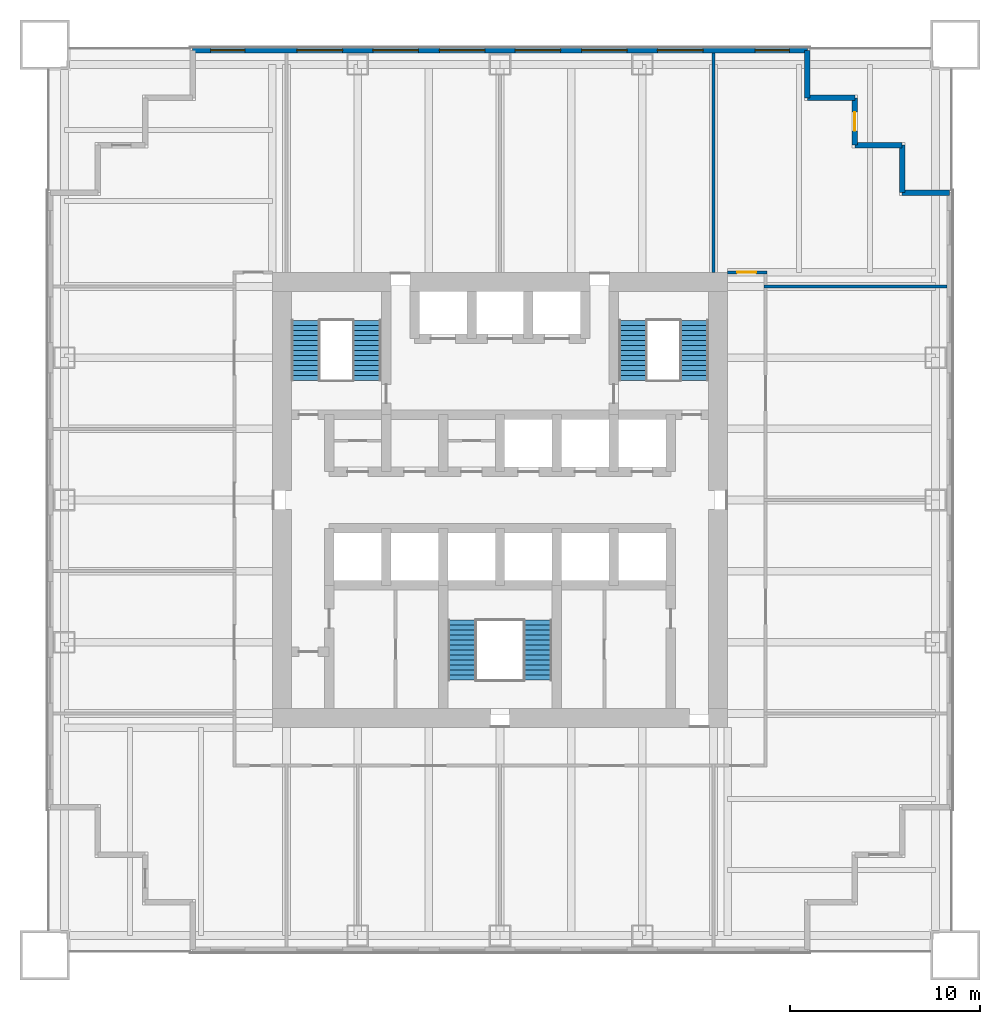
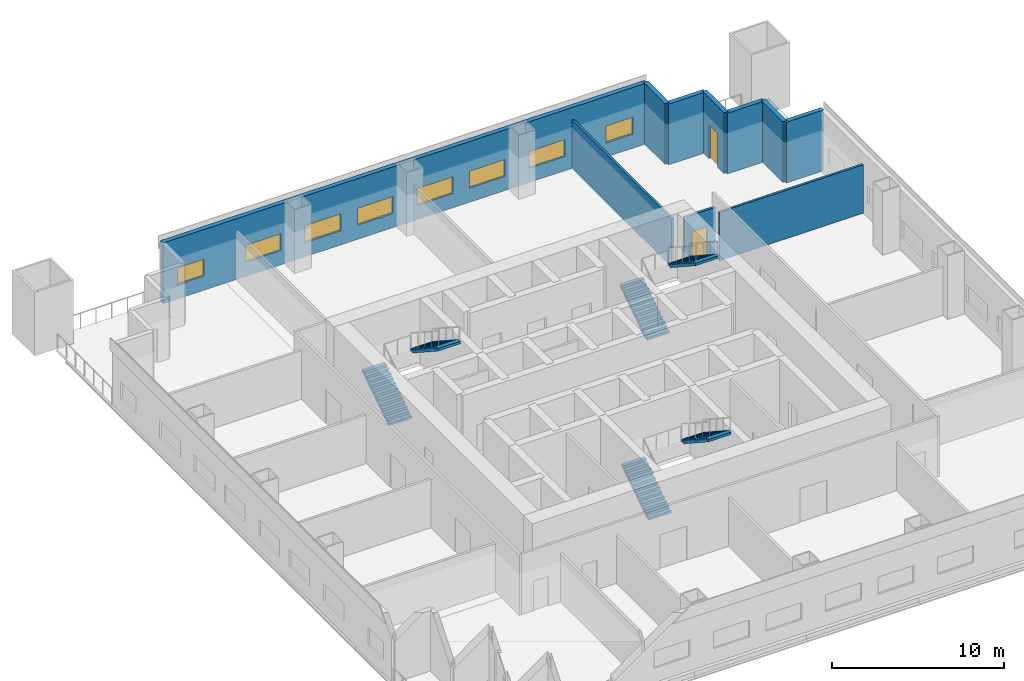
# One storey, part 5 of 7: 10 walls, 8 windows, 6 stair flights, 2 doors, 10 openings, 3 elements without a shape of their own.
"""IFC4 building model written with IfcOpenShell, lengths in metres."""

from ifc_helpers import new_model, si_unit, direction, frame, frame_2d, origin, place, context, subcontext, project, spatial, polyline, rectangle, outline, extrude, material, layer, layer_set, type_object, element, fill, aggregate, save


model = new_model("IFC4")

# Units and contexts
model_context = context("Model", 3, precision=1e-05, world=origin(), true_north=direction((0.0, 1.0)))
body_context = subcontext(model_context, "Body", "Model", "MODEL_VIEW")
ifc_project = project(units=[si_unit("LENGTHUNIT", "METRE"), si_unit("AREAUNIT", "SQUARE_METRE"), si_unit("VOLUMEUNIT", "CUBIC_METRE"), si_unit("PLANEANGLEUNIT", "RADIAN"), si_unit("MASSUNIT", "GRAM", prefix="KILO")], contexts=[model_context])

# Site, building, storey
site_placement = place(None, origin())
site = spatial("IfcSite", under=ifc_project, at=site_placement, CompositionType="ELEMENT")
building_placement = place(site_placement, origin())
building = spatial("IfcBuilding", under=site, at=building_placement, Name="Tarangal Relay Tower", CompositionType="ELEMENT")
storey_placement = place(building_placement, frame((0.0, 0.0, 144.89990234375)))
storey = spatial("IfcBuildingStorey", under=building, at=storey_placement, Name="L29", CompositionType="ELEMENT", Elevation=144.89990234375)

# Wall, openings, windows
ifc_material_1 = material(Name="Insulated precast concrete fc' 40 MPa", Category="concrete")
ifc_layer_1 = layer(ifc_material_1, 0.300048828125)
ifc_layer_set_1 = layer_set([ifc_layer_1], Name="Insulated precast concrete fc' 40 MPa")
wall_type_1 = type_object("IfcWallType", Name="Facade wall precast 300", PredefinedType="SOLIDWALL", material=ifc_layer_set_1)
wall_1_placement = place(storey_placement, frame((-16.199951171875, 23.699951171875, 0.0), z_axis=(0.0, 0.0, 1.0), x_axis=(1.0, 0.0, 0.0)))
wall_1 = element("IfcWall", 1, at=wall_1_placement, inside=storey, type_object=wall_type_1, Name="Facade wall N facade L29", PredefinedType="SOLIDWALL", context=body_context, shape_type="SweptSolid", body=[
    extrude(rectangle(XDim=32.39990234375, YDim=0.300048828125, at=frame_2d((16.199951171875, 0.0))), origin(), (0.0, 0.0, 1.0), 4.300048828125),
])
opening_1_placement = place(wall_1_placement, frame((0.949951171875, 0.0, 1.0)))
opening_1 = element("IfcOpeningElement", 2, at=opening_1_placement, cuts=wall_1, Name="Opening WN5", PredefinedType="OPENING", context=body_context, shape_type="SweptSolid", body=[
    extrude(rectangle(XDim=1.800048828125, YDim=1.199951171875, at=frame_2d((0.89990234375, 0.60009765625))), frame((0.0, 0.159912109375, 0.0), z_axis=(0.0, -1.0, 0.0), x_axis=(1.0, 0.0, 0.0)), (0.0, 0.0, 1.0), 0.320068359375),
])
opening_2_placement = place(wall_1_placement, frame((5.5, 0.0, 1.0)))
opening_2 = element("IfcOpeningElement", 3, at=opening_2_placement, cuts=wall_1, Name="Opening WN1", PredefinedType="OPENING", context=body_context, shape_type="SweptSolid", body=[
    extrude(rectangle(XDim=2.39990234375, YDim=1.199951171875, at=frame_2d((1.199951171875, 0.60009765625))), frame((0.0, 0.159912109375, 0.0), z_axis=(0.0, -1.0, 0.0), x_axis=(1.0, 0.0, 0.0)), (0.0, 0.0, 1.0), 0.320068359375),
])
opening_3_placement = place(wall_1_placement, frame((9.5, 0.0, 1.0)))
opening_3 = element("IfcOpeningElement", 4, at=opening_3_placement, cuts=wall_1, Name="Opening WN1", PredefinedType="OPENING", context=body_context, shape_type="SweptSolid", body=[
    extrude(rectangle(XDim=2.39990234375, YDim=1.199951171875, at=frame_2d((1.199951171875, 0.60009765625))), frame((0.0, 0.159912109375, 0.0), z_axis=(0.0, -1.0, 0.0), x_axis=(1.0, 0.0, 0.0)), (0.0, 0.0, 1.0), 0.320068359375),
])
opening_4_placement = place(wall_1_placement, frame((13.0, 0.0, 1.0)))
opening_4 = element("IfcOpeningElement", 5, at=opening_4_placement, cuts=wall_1, Name="Opening WN1", PredefinedType="OPENING", context=body_context, shape_type="SweptSolid", body=[
    extrude(rectangle(XDim=2.39990234375, YDim=1.199951171875, at=frame_2d((1.199951171875, 0.60009765625))), frame((0.0, 0.159912109375, 0.0), z_axis=(0.0, -1.0, 0.0), x_axis=(1.0, 0.0, 0.0)), (0.0, 0.0, 1.0), 0.320068359375),
])
opening_5_placement = place(wall_1_placement, frame((17.0, 0.0, 1.0)))
opening_5 = element("IfcOpeningElement", 6, at=opening_5_placement, cuts=wall_1, Name="Opening WN1", PredefinedType="OPENING", context=body_context, shape_type="SweptSolid", body=[
    extrude(rectangle(XDim=2.39990234375, YDim=1.199951171875, at=frame_2d((1.199951171875, 0.60009765625))), frame((0.0, 0.159912109375, 0.0), z_axis=(0.0, -1.0, 0.0), x_axis=(1.0, 0.0, 0.0)), (0.0, 0.0, 1.0), 0.320068359375),
])
opening_6_placement = place(wall_1_placement, frame((20.5, 0.0, 1.0)))
opening_6 = element("IfcOpeningElement", 7, at=opening_6_placement, cuts=wall_1, Name="Opening WN1", PredefinedType="OPENING", context=body_context, shape_type="SweptSolid", body=[
    extrude(rectangle(XDim=2.39990234375, YDim=1.199951171875, at=frame_2d((1.199951171875, 0.60009765625))), frame((0.0, 0.159912109375, 0.0), z_axis=(0.0, -1.0, 0.0), x_axis=(1.0, 0.0, 0.0)), (0.0, 0.0, 1.0), 0.320068359375),
])
opening_7_placement = place(wall_1_placement, frame((24.5, 0.0, 1.0)))
opening_7 = element("IfcOpeningElement", 8, at=opening_7_placement, cuts=wall_1, Name="Opening WN1", PredefinedType="OPENING", context=body_context, shape_type="SweptSolid", body=[
    extrude(rectangle(XDim=2.39990234375, YDim=1.199951171875, at=frame_2d((1.199951171875, 0.60009765625))), frame((0.0, 0.159912109375, 0.0), z_axis=(0.0, -1.0, 0.0), x_axis=(1.0, 0.0, 0.0)), (0.0, 0.0, 1.0), 0.320068359375),
])
opening_8_placement = place(wall_1_placement, frame((29.64990234375, 0.0, 1.0)))
opening_8 = element("IfcOpeningElement", 9, at=opening_8_placement, cuts=wall_1, Name="Opening WN5", PredefinedType="OPENING", context=body_context, shape_type="SweptSolid", body=[
    extrude(rectangle(XDim=1.800048828125, YDim=1.199951171875, at=frame_2d((0.89990234375, 0.60009765625))), frame((0.0, 0.159912109375, 0.0), z_axis=(0.0, -1.0, 0.0), x_axis=(1.0, 0.0, 0.0)), (0.0, 0.0, 1.0), 0.320068359375),
])
ifc_material_2 = material(Name="Dark tinted double glazing in black aluminium frame", Category="aluminium")
window_type_1 = type_object("IfcWindowType", Name="Ribbon window 1800 x 1200", PartitioningType="SINGLE_PANEL", PredefinedType="WINDOW", material=ifc_material_2)
window_1_placement = place(opening_1_placement, origin())
window_1 = element("IfcWindow", 10, at=window_1_placement, inside=storey, type_object=window_type_1, Name="Ribbon window WN5 N facade L29", OverallHeight=1.199951171875, OverallWidth=1.800048828125, PartitioningType="SINGLE_PANEL", PredefinedType="WINDOW", context=body_context, shape_type="SweptSolid", body=[
    extrude(rectangle(XDim=1.800048828125, YDim=1.199951171875, at=frame_2d((0.89990234375, 0.60009765625))), frame((0.0, 0.030029296875, 0.0), z_axis=(0.0, -1.0, 0.0), x_axis=(1.0, 0.0, 0.0)), (0.0, 0.0, 1.0), 0.06005859375),
])
fill(opening_1, window_1)
window_2_placement = place(opening_8_placement, origin())
window_2 = element("IfcWindow", 11, at=window_2_placement, inside=storey, type_object=window_type_1, Name="Ribbon window WN5 N facade L29", OverallHeight=1.199951171875, OverallWidth=1.800048828125, PartitioningType="SINGLE_PANEL", PredefinedType="WINDOW", context=body_context, shape_type="SweptSolid", body=[
    extrude(rectangle(XDim=1.800048828125, YDim=1.199951171875, at=frame_2d((0.89990234375, 0.60009765625))), frame((0.0, 0.030029296875, 0.0), z_axis=(0.0, -1.0, 0.0), x_axis=(1.0, 0.0, 0.0)), (0.0, 0.0, 1.0), 0.06005859375),
])
fill(opening_8, window_2)
window_type_2 = type_object("IfcWindowType", Name="Ribbon window 2400 x 1200", PartitioningType="SINGLE_PANEL", PredefinedType="WINDOW", material=ifc_material_2)
window_3_placement = place(opening_2_placement, origin())
window_3 = element("IfcWindow", 12, at=window_3_placement, inside=storey, type_object=window_type_2, Name="Ribbon window WN1 N facade L29", OverallHeight=1.199951171875, OverallWidth=2.39990234375, PartitioningType="SINGLE_PANEL", PredefinedType="WINDOW", context=body_context, shape_type="SweptSolid", body=[
    extrude(rectangle(XDim=2.39990234375, YDim=1.199951171875, at=frame_2d((1.199951171875, 0.60009765625))), frame((0.0, 0.030029296875, 0.0), z_axis=(0.0, -1.0, 0.0), x_axis=(1.0, 0.0, 0.0)), (0.0, 0.0, 1.0), 0.06005859375),
])
fill(opening_2, window_3)
window_4_placement = place(opening_3_placement, origin())
window_4 = element("IfcWindow", 13, at=window_4_placement, inside=storey, type_object=window_type_2, Name="Ribbon window WN1 N facade L29", OverallHeight=1.199951171875, OverallWidth=2.39990234375, PartitioningType="SINGLE_PANEL", PredefinedType="WINDOW", context=body_context, shape_type="SweptSolid", body=[
    extrude(rectangle(XDim=2.39990234375, YDim=1.199951171875, at=frame_2d((1.199951171875, 0.60009765625))), frame((0.0, 0.030029296875, 0.0), z_axis=(0.0, -1.0, 0.0), x_axis=(1.0, 0.0, 0.0)), (0.0, 0.0, 1.0), 0.06005859375),
])
fill(opening_3, window_4)
window_5_placement = place(opening_4_placement, origin())
window_5 = element("IfcWindow", 14, at=window_5_placement, inside=storey, type_object=window_type_2, Name="Ribbon window WN1 N facade L29", OverallHeight=1.199951171875, OverallWidth=2.39990234375, PartitioningType="SINGLE_PANEL", PredefinedType="WINDOW", context=body_context, shape_type="SweptSolid", body=[
    extrude(rectangle(XDim=2.39990234375, YDim=1.199951171875, at=frame_2d((1.199951171875, 0.60009765625))), frame((0.0, 0.030029296875, 0.0), z_axis=(0.0, -1.0, 0.0), x_axis=(1.0, 0.0, 0.0)), (0.0, 0.0, 1.0), 0.06005859375),
])
fill(opening_4, window_5)
window_6_placement = place(opening_5_placement, origin())
window_6 = element("IfcWindow", 15, at=window_6_placement, inside=storey, type_object=window_type_2, Name="Ribbon window WN1 N facade L29", OverallHeight=1.199951171875, OverallWidth=2.39990234375, PartitioningType="SINGLE_PANEL", PredefinedType="WINDOW", context=body_context, shape_type="SweptSolid", body=[
    extrude(rectangle(XDim=2.39990234375, YDim=1.199951171875, at=frame_2d((1.199951171875, 0.60009765625))), frame((0.0, 0.030029296875, 0.0), z_axis=(0.0, -1.0, 0.0), x_axis=(1.0, 0.0, 0.0)), (0.0, 0.0, 1.0), 0.06005859375),
])
fill(opening_5, window_6)
window_7_placement = place(opening_6_placement, origin())
window_7 = element("IfcWindow", 16, at=window_7_placement, inside=storey, type_object=window_type_2, Name="Ribbon window WN1 N facade L29", OverallHeight=1.199951171875, OverallWidth=2.39990234375, PartitioningType="SINGLE_PANEL", PredefinedType="WINDOW", context=body_context, shape_type="SweptSolid", body=[
    extrude(rectangle(XDim=2.39990234375, YDim=1.199951171875, at=frame_2d((1.199951171875, 0.60009765625))), frame((0.0, 0.030029296875, 0.0), z_axis=(0.0, -1.0, 0.0), x_axis=(1.0, 0.0, 0.0)), (0.0, 0.0, 1.0), 0.06005859375),
])
fill(opening_6, window_7)
window_8_placement = place(opening_7_placement, origin())
window_8 = element("IfcWindow", 17, at=window_8_placement, inside=storey, type_object=window_type_2, Name="Ribbon window WN1 N facade L29", OverallHeight=1.199951171875, OverallWidth=2.39990234375, PartitioningType="SINGLE_PANEL", PredefinedType="WINDOW", context=body_context, shape_type="SweptSolid", body=[
    extrude(rectangle(XDim=2.39990234375, YDim=1.199951171875, at=frame_2d((1.199951171875, 0.60009765625))), frame((0.0, 0.030029296875, 0.0), z_axis=(0.0, -1.0, 0.0), x_axis=(1.0, 0.0, 0.0)), (0.0, 0.0, 1.0), 0.06005859375),
])
fill(opening_7, window_8)

# Walls
for number, where, z_axis, x_axis, name in (
    (18, (16.199951171875, 23.699951171875, 0.0), (0.0, 0.0, 1.0), (0.0, -1.0, 0.0), "Facade wall N facade L29"),
    (19, (16.199951171875, 21.199951171875, 0.0), (0.0, 0.0, 1.0), (1.0, 0.0, 0.0), "Facade wall N facade L29"),
):
    element("IfcWall", number, at=place(storey_placement, frame(where, z_axis=z_axis, x_axis=x_axis)), inside=storey, type_object=wall_type_1, Name=name, PredefinedType="SOLIDWALL", context=body_context, shape_type="SweptSolid", body=[
        extrude(rectangle(XDim=2.5, YDim=0.300048828125, at=frame_2d((1.25, 0.0))), origin(), (0.0, 0.0, 1.0), 4.300048828125),
    ])

# Wall, opening, door
wall_2_placement = place(storey_placement, frame((18.699951171875, 21.199951171875, 0.0), z_axis=(0.0, 0.0, 1.0), x_axis=(0.0, -1.0, 0.0)))
wall_2 = element("IfcWall", 20, at=wall_2_placement, inside=storey, type_object=wall_type_1, Name="Facade wall N facade L29", PredefinedType="SOLIDWALL", context=body_context, shape_type="SweptSolid", body=[
    extrude(rectangle(XDim=2.5, YDim=0.300048828125, at=frame_2d((1.25, 0.0))), origin(), (0.0, 0.0, 1.0), 4.300048828125),
])
opening_9_placement = place(wall_2_placement, frame((0.75, 0.0, 0.0)))
opening_9 = element("IfcOpeningElement", 21, at=opening_9_placement, cuts=wall_2, Name="Opening TD1", PredefinedType="OPENING", context=body_context, shape_type="SweptSolid", body=[
    extrude(rectangle(XDim=1.0, YDim=2.39990234375, at=frame_2d((0.5, 1.199951171875))), frame((0.0, 0.159912109375, 0.0), z_axis=(0.0, -1.0, 0.0), x_axis=(1.0, 0.0, 0.0)), (0.0, 0.0, 1.0), 0.320068359375),
])
ifc_material_3 = material(Name="Aluminium glazed door", Category="aluminium")
door_type_1 = type_object("IfcDoorType", Name="Terrace door 1000 x 2400", OperationType="SINGLE_SWING_RIGHT", PredefinedType="DOOR", material=ifc_material_3)
door_1_placement = place(opening_9_placement, origin())
door_1 = element("IfcDoor", 22, at=door_1_placement, inside=storey, type_object=door_type_1, Name="Terrace door TD1 NE L29", OperationType="SINGLE_SWING_RIGHT", OverallHeight=2.39990234375, OverallWidth=1.0, PredefinedType="DOOR", context=body_context, shape_type="SweptSolid", body=[
    extrude(rectangle(XDim=1.0, YDim=2.39990234375, at=frame_2d((0.5, 1.199951171875))), frame((0.0, 0.02490234375, 0.0), z_axis=(0.0, -1.0, 0.0), x_axis=(1.0, 0.0, 0.0)), (0.0, 0.0, 1.0), 0.050048828125),
])
fill(opening_9, door_1)

# Walls
for number, where, z_axis, x_axis, name in (
    (23, (18.699951171875, 18.699951171875, 0.0), (0.0, 0.0, 1.0), (1.0, 0.0, 0.0), "Facade wall N facade L29"),
    (24, (21.199951171875, 18.699951171875, 0.0), (0.0, 0.0, 1.0), (0.0, -1.0, 0.0), "Facade wall N facade L29"),
    (25, (21.199951171875, 16.199951171875, 0.0), (0.0, 0.0, 1.0), (1.0, 0.0, 0.0), "Facade wall N facade L29"),
):
    element("IfcWall", number, at=place(storey_placement, frame(where, z_axis=z_axis, x_axis=x_axis)), inside=storey, type_object=wall_type_1, Name=name, PredefinedType="SOLIDWALL", context=body_context, shape_type="SweptSolid", body=[
        extrude(rectangle(XDim=2.5, YDim=0.300048828125, at=frame_2d((1.25, 0.0))), origin(), (0.0, 0.0, 1.0), 4.300048828125),
    ])
ifc_material_4 = material(Name="Gypsum board on steel studs", Category="steel")
ifc_layer_2 = layer(ifc_material_4, 0.14990234375)
ifc_layer_set_2 = layer_set([ifc_layer_2], Name="Partition 150")
wall_type_2 = type_object("IfcWallType", Name="Partition 150", PredefinedType="PARTITIONING", material=ifc_layer_set_2)
wall_3_placement = place(storey_placement, frame((13.925048828125, 11.25, 0.0), z_axis=(0.0, 0.0, 1.0), x_axis=(1.0, 0.0, 0.0)))
element("IfcWall", 26, at=wall_3_placement, inside=storey, type_object=wall_type_2, Name="Partition PT1 L29", PredefinedType="PARTITIONING", context=body_context, shape_type="SweptSolid", body=[
    extrude(rectangle(XDim=9.625, YDim=0.14990234375, at=frame_2d((4.8125, 0.0))), origin(), (0.0, 0.0, 1.0), 3.431396484375),
])

# Wall, opening, door
wall_4_placement = place(storey_placement, frame((12.0, 12.0, 0.0), z_axis=(0.0, 0.0, 1.0), x_axis=(1.0, 0.0, 0.0)))
wall_4 = element("IfcWall", 27, at=wall_4_placement, inside=storey, type_object=wall_type_2, Name="Partition PT1 L29", PredefinedType="PARTITIONING", context=body_context, shape_type="SweptSolid", body=[
    extrude(rectangle(XDim=2.074951171875, YDim=0.14990234375, at=frame_2d((1.03759765625, 0.0))), origin(), (0.0, 0.0, 1.0), 3.2841796875),
])
opening_10_placement = place(wall_4_placement, frame((0.5, 0.0, 0.0)))
opening_10 = element("IfcOpeningElement", 28, at=opening_10_placement, cuts=wall_4, Name="Opening D2", PredefinedType="OPENING", context=body_context, shape_type="SweptSolid", body=[
    extrude(rectangle(XDim=1.0, YDim=2.10009765625, at=frame_2d((0.5, 1.050048828125))), frame((0.0, 0.0849609375, 0.0), z_axis=(0.0, -1.0, 0.0), x_axis=(1.0, 0.0, 0.0)), (0.0, 0.0, 1.0), 0.169921875),
])
ifc_material_5 = material(Name="Hardwood door", Category="wood")
door_type_2 = type_object("IfcDoorType", Name="Door 1000 x 2100", OperationType="SINGLE_SWING_LEFT", PredefinedType="DOOR", material=ifc_material_5)
door_2_placement = place(opening_10_placement, origin())
door_2 = element("IfcDoor", 29, at=door_2_placement, inside=storey, type_object=door_type_2, Name="Door D2 to carrier staff office L29-12", OperationType="SINGLE_SWING_LEFT", OverallHeight=2.10009765625, OverallWidth=1.0, PredefinedType="DOOR", context=body_context, shape_type="SweptSolid", body=[
    extrude(rectangle(XDim=1.0, YDim=2.10009765625, at=frame_2d((0.5, 1.050048828125))), frame((0.0, 0.02490234375, 0.0), z_axis=(0.0, -1.0, 0.0), x_axis=(1.0, 0.0, 0.0)), (0.0, 0.0, 1.0), 0.050048828125),
])
fill(opening_10, door_2)

# Wall
wall_5_placement = place(storey_placement, frame((11.25, 12.0, 0.0), z_axis=(0.0, 0.0, 1.0), x_axis=(0.0, 1.0, 0.0)))
element("IfcWall", 30, at=wall_5_placement, inside=storey, type_object=wall_type_2, Name="Partition PT1 L29", PredefinedType="PARTITIONING", context=body_context, shape_type="SweptSolid", body=[
    extrude(rectangle(XDim=11.550048828125, YDim=0.14990234375, at=frame_2d((5.77490234375, 0.0))), origin(), (0.0, 0.0, 1.0), 3.431396484375),
])

# Stair, stair flights
ifc_material_6 = material(Name="Steel ASTM A992 stair flight", Category="steel")
stair_type = type_object("IfcStairType", Name="Core stair 1500", PredefinedType="HALF_TURN_STAIR", material=ifc_material_6)
stair_1_placement = place(storey_placement, origin())
stair_1 = element("IfcStair", 31, at=stair_1_placement, inside=storey, type_object=stair_type, Name="Stair ST-A L29", PredefinedType="HALF_TURN_STAIR")
stair_flight_type = type_object("IfcStairFlightType", Name="Steel stair flight 1500, 13 risers 173 x 264", PredefinedType="STRAIGHT", material=ifc_material_6)
stair_flight_1_placement = place(storey_placement, frame((-10.25, 6.300048828125, 0.0), z_axis=(0.0, 0.0, 1.0), x_axis=(0.0, 1.0, 0.0)))
stair_flight_1 = element("IfcStairFlight", 32, at=stair_flight_1_placement, type_object=stair_flight_type, Name="ST-A flight 1", NumberOfRisers=13, NumberOfTreads=12, PredefinedType="STRAIGHT", RiserHeight=0.173076923, TreadLength=0.264, context=body_context, shape_type="SweptSolid", body=[
    extrude(outline(polyline([(0.0, 0.0), (0.0, 0.173095703125), (0.263916015625, 0.173095703125), (0.263916015625, 0.34619140625), (0.528076171875, 0.34619140625), (0.528076171875, 0.519287109375), (0.7919921875, 0.519287109375), (0.7919921875, 0.6923828125), (1.055908203125, 0.6923828125), (1.055908203125, 0.865478515625), (1.320068359375, 0.865478515625), (1.320068359375, 1.03857421875), (1.583984375, 1.03857421875), (1.583984375, 1.21142578125), (1.847900390625, 1.21142578125), (1.847900390625, 1.384521484375), (2.112060546875, 1.384521484375), (2.112060546875, 1.5576171875), (2.3759765625, 1.5576171875), (2.3759765625, 1.730712890625), (2.639892578125, 1.730712890625), (2.639892578125, 1.90380859375), (2.904052734375, 1.90380859375), (2.904052734375, 2.076904296875), (3.16796875, 2.076904296875), (3.16796875, 2.25), (3.16796875, 1.897705078125), (0.2734375, 0.0), (0.0, 0.0)])), frame((0.0, 0.75, 0.0), z_axis=(0.0, -1.0, 0.0), x_axis=(1.0, 0.0, 0.0)), (0.0, 0.0, 1.0), 1.5),
])
stair_flight_2_placement = place(storey_placement, frame((-7.0, 9.468017578125, 2.25), z_axis=(0.0, 0.0, 1.0), x_axis=(0.0, -1.0, 0.0)))
stair_flight_2 = element("IfcStairFlight", 33, at=stair_flight_2_placement, type_object=stair_flight_type, Name="ST-A flight 2", NumberOfRisers=13, NumberOfTreads=12, PredefinedType="STRAIGHT", RiserHeight=0.173076923, TreadLength=0.264, context=body_context, shape_type="SweptSolid", body=[
    extrude(outline(polyline([(0.0, 0.0), (0.0, 0.173095703125), (0.263916015625, 0.173095703125), (0.263916015625, 0.34619140625), (0.528076171875, 0.34619140625), (0.528076171875, 0.519287109375), (0.7919921875, 0.519287109375), (0.7919921875, 0.6923828125), (1.055908203125, 0.6923828125), (1.055908203125, 0.865478515625), (1.320068359375, 0.865478515625), (1.320068359375, 1.03857421875), (1.583984375, 1.03857421875), (1.583984375, 1.21142578125), (1.847900390625, 1.21142578125), (1.847900390625, 1.384521484375), (2.112060546875, 1.384521484375), (2.112060546875, 1.5576171875), (2.3759765625, 1.5576171875), (2.3759765625, 1.730712890625), (2.639892578125, 1.730712890625), (2.639892578125, 1.90380859375), (2.904052734375, 1.90380859375), (2.904052734375, 2.076904296875), (3.16796875, 2.076904296875), (3.16796875, 2.25), (3.16796875, 1.897705078125), (0.2734375, 0.0), (0.0, 0.0)])), frame((0.0, 0.75, 0.0), z_axis=(0.0, -1.0, 0.0), x_axis=(1.0, 0.0, 0.0)), (0.0, 0.0, 1.0), 1.5),
])
aggregate(stair_1, [stair_flight_1, stair_flight_2])

stair_2_placement = place(storey_placement, origin())
stair_2 = element("IfcStair", 34, at=stair_2_placement, inside=storey, type_object=stair_type, Name="Stair ST-B L29", PredefinedType="HALF_TURN_STAIR")
stair_flight_3_placement = place(storey_placement, frame((7.0, 6.300048828125, 0.0), z_axis=(0.0, 0.0, 1.0), x_axis=(0.0, 1.0, 0.0)))
stair_flight_3 = element("IfcStairFlight", 35, at=stair_flight_3_placement, type_object=stair_flight_type, Name="ST-B flight 1", NumberOfRisers=13, NumberOfTreads=12, PredefinedType="STRAIGHT", RiserHeight=0.173076923, TreadLength=0.264, context=body_context, shape_type="SweptSolid", body=[
    extrude(outline(polyline([(0.0, 0.0), (0.0, 0.173095703125), (0.263916015625, 0.173095703125), (0.263916015625, 0.34619140625), (0.528076171875, 0.34619140625), (0.528076171875, 0.519287109375), (0.7919921875, 0.519287109375), (0.7919921875, 0.6923828125), (1.055908203125, 0.6923828125), (1.055908203125, 0.865478515625), (1.320068359375, 0.865478515625), (1.320068359375, 1.03857421875), (1.583984375, 1.03857421875), (1.583984375, 1.21142578125), (1.847900390625, 1.21142578125), (1.847900390625, 1.384521484375), (2.112060546875, 1.384521484375), (2.112060546875, 1.5576171875), (2.3759765625, 1.5576171875), (2.3759765625, 1.730712890625), (2.639892578125, 1.730712890625), (2.639892578125, 1.90380859375), (2.904052734375, 1.90380859375), (2.904052734375, 2.076904296875), (3.16796875, 2.076904296875), (3.16796875, 2.25), (3.16796875, 1.897705078125), (0.2734375, 0.0), (0.0, 0.0)])), frame((0.0, 0.75, 0.0), z_axis=(0.0, -1.0, 0.0), x_axis=(1.0, 0.0, 0.0)), (0.0, 0.0, 1.0), 1.5),
])
stair_flight_4_placement = place(storey_placement, frame((10.25, 9.468017578125, 2.25), z_axis=(0.0, 0.0, 1.0), x_axis=(0.0, -1.0, 0.0)))
stair_flight_4 = element("IfcStairFlight", 36, at=stair_flight_4_placement, type_object=stair_flight_type, Name="ST-B flight 2", NumberOfRisers=13, NumberOfTreads=12, PredefinedType="STRAIGHT", RiserHeight=0.173076923, TreadLength=0.264, context=body_context, shape_type="SweptSolid", body=[
    extrude(outline(polyline([(0.0, 0.0), (0.0, 0.173095703125), (0.263916015625, 0.173095703125), (0.263916015625, 0.34619140625), (0.528076171875, 0.34619140625), (0.528076171875, 0.519287109375), (0.7919921875, 0.519287109375), (0.7919921875, 0.6923828125), (1.055908203125, 0.6923828125), (1.055908203125, 0.865478515625), (1.320068359375, 0.865478515625), (1.320068359375, 1.03857421875), (1.583984375, 1.03857421875), (1.583984375, 1.21142578125), (1.847900390625, 1.21142578125), (1.847900390625, 1.384521484375), (2.112060546875, 1.384521484375), (2.112060546875, 1.5576171875), (2.3759765625, 1.5576171875), (2.3759765625, 1.730712890625), (2.639892578125, 1.730712890625), (2.639892578125, 1.90380859375), (2.904052734375, 1.90380859375), (2.904052734375, 2.076904296875), (3.16796875, 2.076904296875), (3.16796875, 2.25), (3.16796875, 1.897705078125), (0.2734375, 0.0), (0.0, 0.0)])), frame((0.0, 0.75, 0.0), z_axis=(0.0, -1.0, 0.0), x_axis=(1.0, 0.0, 0.0)), (0.0, 0.0, 1.0), 1.5),
])
aggregate(stair_2, [stair_flight_3, stair_flight_4])

stair_3_placement = place(storey_placement, origin())
stair_3 = element("IfcStair", 37, at=stair_3_placement, inside=storey, type_object=stair_type, Name="Stair ST-C L29", PredefinedType="HALF_TURN_STAIR")
stair_flight_5_placement = place(storey_placement, frame((-2.0, -9.5, 0.0), z_axis=(0.0, 0.0, 1.0), x_axis=(0.0, 1.0, 0.0)))
stair_flight_5 = element("IfcStairFlight", 38, at=stair_flight_5_placement, type_object=stair_flight_type, Name="ST-C flight 1", NumberOfRisers=13, NumberOfTreads=12, PredefinedType="STRAIGHT", RiserHeight=0.173076923, TreadLength=0.264, context=body_context, shape_type="SweptSolid", body=[
    extrude(outline(polyline([(0.0, 0.0), (0.0, 0.173095703125), (0.263916015625, 0.173095703125), (0.263916015625, 0.34619140625), (0.528076171875, 0.34619140625), (0.528076171875, 0.519287109375), (0.7919921875, 0.519287109375), (0.7919921875, 0.6923828125), (1.055908203125, 0.6923828125), (1.055908203125, 0.865478515625), (1.320068359375, 0.865478515625), (1.320068359375, 1.03857421875), (1.583984375, 1.03857421875), (1.583984375, 1.21142578125), (1.847900390625, 1.21142578125), (1.847900390625, 1.384521484375), (2.112060546875, 1.384521484375), (2.112060546875, 1.5576171875), (2.3759765625, 1.5576171875), (2.3759765625, 1.730712890625), (2.639892578125, 1.730712890625), (2.639892578125, 1.90380859375), (2.904052734375, 1.90380859375), (2.904052734375, 2.076904296875), (3.16796875, 2.076904296875), (3.16796875, 2.25), (3.16796875, 1.897705078125), (0.2734375, 0.0), (0.0, 0.0)])), frame((0.0, 0.75, 0.0), z_axis=(0.0, -1.0, 0.0), x_axis=(1.0, 0.0, 0.0)), (0.0, 0.0, 1.0), 1.5),
])
stair_flight_6_placement = place(storey_placement, frame((2.0, -6.33203125, 2.25), z_axis=(0.0, 0.0, 1.0), x_axis=(0.0, -1.0, 0.0)))
stair_flight_6 = element("IfcStairFlight", 39, at=stair_flight_6_placement, type_object=stair_flight_type, Name="ST-C flight 2", NumberOfRisers=13, NumberOfTreads=12, PredefinedType="STRAIGHT", RiserHeight=0.173076923, TreadLength=0.264, context=body_context, shape_type="SweptSolid", body=[
    extrude(outline(polyline([(0.0, 0.0), (0.0, 0.173095703125), (0.263916015625, 0.173095703125), (0.263916015625, 0.34619140625), (0.528076171875, 0.34619140625), (0.528076171875, 0.519287109375), (0.7919921875, 0.519287109375), (0.7919921875, 0.6923828125), (1.055908203125, 0.6923828125), (1.055908203125, 0.865478515625), (1.320068359375, 0.865478515625), (1.320068359375, 1.03857421875), (1.583984375, 1.03857421875), (1.583984375, 1.21142578125), (1.847900390625, 1.21142578125), (1.847900390625, 1.384521484375), (2.112060546875, 1.384521484375), (2.112060546875, 1.5576171875), (2.3759765625, 1.5576171875), (2.3759765625, 1.730712890625), (2.639892578125, 1.730712890625), (2.639892578125, 1.90380859375), (2.904052734375, 1.90380859375), (2.904052734375, 2.076904296875), (3.16796875, 2.076904296875), (3.16796875, 2.25), (3.16796875, 1.897705078125), (0.2734375, 0.0), (0.0, 0.0)])), frame((0.0, 0.75, 0.0), z_axis=(0.0, -1.0, 0.0), x_axis=(1.0, 0.0, 0.0)), (0.0, 0.0, 1.0), 1.5),
])
aggregate(stair_3, [stair_flight_5, stair_flight_6])

save(model, "model.ifc")
